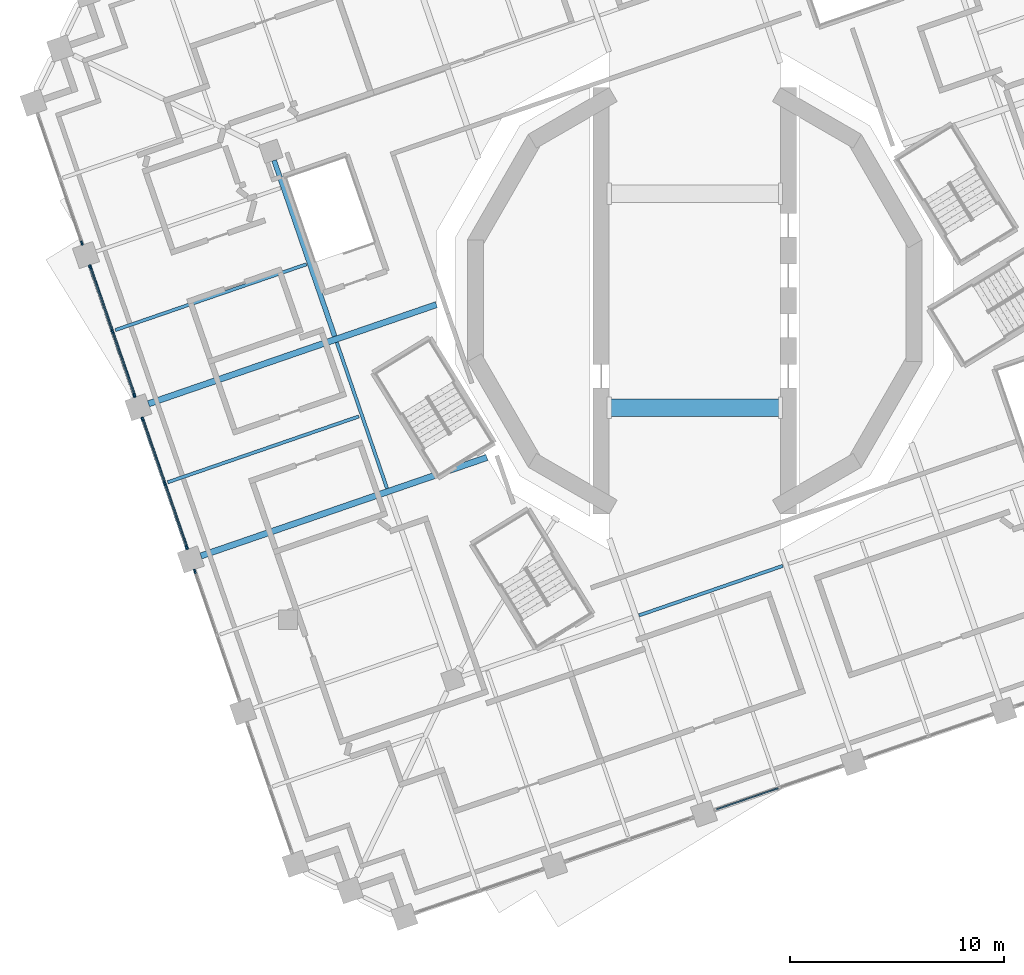
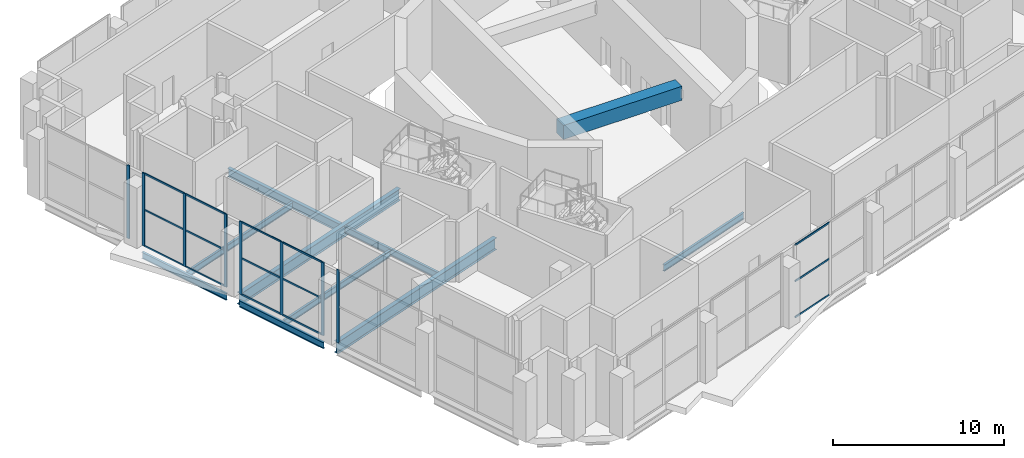
# One storey, part 3 of 20: 23 members, 10 beams, 5 elements without a shape of their own.
"""IFC4 building model written with IfcOpenShell, lengths in metres."""

from ifc_helpers import new_model, si_unit, direction, frame, origin, origin_2d, place, context, subcontext, project, spatial, rectangle, i_section, extrude, material, material_profile, profile_set, type_object, element, aggregate, save


model = new_model("IFC4")

# Units and contexts
model_context = context("Model", 3, precision=1e-05, world=origin(), true_north=direction((0.0, 1.0)))
body_context = subcontext(model_context, "Body", "Model", "MODEL_VIEW")
ifc_project = project(units=[si_unit("LENGTHUNIT", "METRE"), si_unit("AREAUNIT", "SQUARE_METRE"), si_unit("VOLUMEUNIT", "CUBIC_METRE"), si_unit("PLANEANGLEUNIT", "RADIAN"), si_unit("MASSUNIT", "GRAM", prefix="KILO")], contexts=[model_context])

# Site, building, storey
site_placement = place(None, origin())
site = spatial("IfcSite", under=ifc_project, at=site_placement, CompositionType="ELEMENT")
building_placement = place(site_placement, origin())
building = spatial("IfcBuilding", under=site, at=building_placement, Name="Cantera Rosa Tower", CompositionType="ELEMENT")
storey_placement = place(building_placement, frame((0.0, 0.0, 142.10009765625)))
storey = spatial("IfcBuildingStorey", under=building, at=storey_placement, Name="L30", CompositionType="ELEMENT", Elevation=142.10009765625)

# Curtain wall, member
ifc_material_1 = material(Name="Anodised aluminium louvre", Category="aluminium")
curtain_wall_type = type_object("IfcCurtainWallType", Name="CW3 REFUGE LOUVRE WALL", PredefinedType="NOTDEFINED", material=ifc_material_1)
curtain_wall_1_placement = place(storey_placement, origin())
curtain_wall_1 = element("IfcCurtainWall", 1, at=curtain_wall_1_placement, inside=storey, type_object=curtain_wall_type, Name="CW3 CW3", PredefinedType="NOTDEFINED")
ifc_material_2 = material(Name="Anodised bronze aluminium", Category="aluminium")
ifc_material_profile_1 = material_profile(ifc_material_2, rectangle(XDim=0.080078125, YDim=0.199951171875, at=origin_2d()), Name="CW-MULLION 80x200 REFUGE")
ifc_profile_set_1 = profile_set([ifc_material_profile_1], Name="Anodised bronze aluminium")
member_type_1 = type_object("IfcMemberType", Name="CW-MULLION 80x200 REFUGE", PredefinedType="MULLION", material=ifc_profile_set_1)
member_1_placement = place(storey_placement, frame((-28.636962890625, 2.693359375, 0.0), z_axis=(0.0, 0.0, 1.0), x_axis=(0.945518575605, 0.325568154441, 0.0)))
member_1 = element("IfcMember", 2, at=member_1_placement, type_object=member_type_1, Name="CW3 mullion 3", PredefinedType="MULLION", context=body_context, shape_type="SweptSolid", body=[
    extrude(rectangle(XDim=0.080078125, YDim=0.199951171875, at=origin_2d()), origin(), (0.0, 0.0, 1.0), 5.199951171875),
])
aggregate(curtain_wall_1, [member_1])

# Curtain wall, members
curtain_wall_2_placement = place(storey_placement, origin())
curtain_wall_2 = element("IfcCurtainWall", 3, at=curtain_wall_2_placement, inside=storey, type_object=curtain_wall_type, Name="CW3 CW3", PredefinedType="NOTDEFINED")
member_2_placement = place(storey_placement, frame((-28.2529296875, 1.57763671875, 0.0), z_axis=(0.0, 0.0, 1.0), x_axis=(0.945518575594, 0.325568154474, 0.0)))
member_2 = element("IfcMember", 4, at=member_2_placement, type_object=member_type_1, Name="CW3 mullion 1", PredefinedType="MULLION", context=body_context, shape_type="SweptSolid", body=[
    extrude(rectangle(XDim=0.080078125, YDim=0.199951171875, at=origin_2d()), origin(), (0.0, 0.0, 1.0), 5.199951171875),
])
member_3_placement = place(storey_placement, frame((-27.220947265625, -1.419677734375, 0.0), z_axis=(0.0, 0.0, 1.0), x_axis=(0.945518575594, 0.325568154474, 0.0)))
member_3 = element("IfcMember", 5, at=member_3_placement, type_object=member_type_1, Name="CW3 mullion 2", PredefinedType="MULLION", context=body_context, shape_type="SweptSolid", body=[
    extrude(rectangle(XDim=0.080078125, YDim=0.199951171875, at=origin_2d()), origin(), (0.0, 0.0, 1.0), 5.199951171875),
])
member_4_placement = place(storey_placement, frame((-26.188720703125, -4.4169921875, 0.0), z_axis=(0.0, 0.0, 1.0), x_axis=(0.945518575594, 0.325568154474, 0.0)))
member_4 = element("IfcMember", 6, at=member_4_placement, type_object=member_type_1, Name="CW3 mullion 3", PredefinedType="MULLION", context=body_context, shape_type="SweptSolid", body=[
    extrude(rectangle(XDim=0.080078125, YDim=0.199951171875, at=origin_2d()), origin(), (0.0, 0.0, 1.0), 5.199951171875),
])

curtain_wall_3_placement = place(storey_placement, origin())
curtain_wall_3 = element("IfcCurtainWall", 7, at=curtain_wall_3_placement, inside=storey, type_object=curtain_wall_type, Name="CW3 CW3", PredefinedType="NOTDEFINED")
member_5_placement = place(storey_placement, frame((-25.8046875, -5.532470703125, 0.0), z_axis=(0.0, 0.0, 1.0), x_axis=(0.945518575605, 0.325568154441, 0.0)))
member_5 = element("IfcMember", 8, at=member_5_placement, type_object=member_type_1, Name="CW3 mullion 1", PredefinedType="MULLION", context=body_context, shape_type="SweptSolid", body=[
    extrude(rectangle(XDim=0.080078125, YDim=0.199951171875, at=origin_2d()), origin(), (0.0, 0.0, 1.0), 5.199951171875),
])
member_6_placement = place(storey_placement, frame((-24.772705078125, -8.52978515625, 0.0), z_axis=(0.0, 0.0, 1.0), x_axis=(0.945518575605, 0.325568154441, 0.0)))
member_6 = element("IfcMember", 9, at=member_6_placement, type_object=member_type_1, Name="CW3 mullion 2", PredefinedType="MULLION", context=body_context, shape_type="SweptSolid", body=[
    extrude(rectangle(XDim=0.080078125, YDim=0.199951171875, at=origin_2d()), origin(), (0.0, 0.0, 1.0), 5.199951171875),
])
member_7_placement = place(storey_placement, frame((-23.740478515625, -11.527099609375, 0.0), z_axis=(0.0, 0.0, 1.0), x_axis=(0.945518575605, 0.325568154441, 0.0)))
member_7 = element("IfcMember", 10, at=member_7_placement, type_object=member_type_1, Name="CW3 mullion 3", PredefinedType="MULLION", context=body_context, shape_type="SweptSolid", body=[
    extrude(rectangle(XDim=0.080078125, YDim=0.199951171875, at=origin_2d()), origin(), (0.0, 0.0, 1.0), 5.199951171875),
])

# Curtain wall, member
curtain_wall_4_placement = place(storey_placement, origin())
curtain_wall_4 = element("IfcCurtainWall", 11, at=curtain_wall_4_placement, inside=storey, type_object=curtain_wall_type, Name="CW3 CW3", PredefinedType="NOTDEFINED")
member_8_placement = place(storey_placement, frame((-23.3564453125, -12.642822265625, 0.0), z_axis=(0.0, 0.0, 1.0), x_axis=(0.945518575594, 0.325568154474, 0.0)))
member_8 = element("IfcMember", 12, at=member_8_placement, type_object=member_type_1, Name="CW3 mullion 1", PredefinedType="MULLION", context=body_context, shape_type="SweptSolid", body=[
    extrude(rectangle(XDim=0.080078125, YDim=0.199951171875, at=origin_2d()), origin(), (0.0, 0.0, 1.0), 5.199951171875),
])
aggregate(curtain_wall_4, [member_8])

# Member
ifc_material_3 = material(Name="Anodised bronze aluminium", Category="aluminium")
ifc_material_profile_2 = material_profile(ifc_material_3, rectangle(XDim=0.06005859375, YDim=0.1201171875, at=origin_2d()), Name="CW-TRANSOM 60x120 REFUGE")
ifc_profile_set_2 = profile_set([ifc_material_profile_2], Name="Anodised bronze aluminium")
member_type_2 = type_object("IfcMemberType", Name="CW-TRANSOM 60x120 REFUGE", PredefinedType="USERDEFINED", material=ifc_profile_set_2)
member_9_placement = place(storey_placement, frame((-28.239990234375, 1.539794921875, 0.02978515625), z_axis=(0.325598629893, -0.945508081516, 0.0), x_axis=(0.945508081516, 0.325598629893, 0.0)))
member_9 = element("IfcMember", 13, at=member_9_placement, type_object=member_type_2, Name="CW3 transom 1.1", ObjectType="TRANSOM", PredefinedType="USERDEFINED", context=body_context, shape_type="SweptSolid", body=[
    extrude(rectangle(XDim=0.06005859375, YDim=0.1201171875, at=origin_2d()), origin(), (0.0, 0.0, 1.0), 3.090087890625),
])

member_10_placement = place(storey_placement, frame((-28.239990234375, 1.539794921875, 2.599853515625), z_axis=(0.325598629893, -0.945508081516, 0.0), x_axis=(0.945508081516, 0.325598629893, 0.0)))
member_10 = element("IfcMember", 14, at=member_10_placement, type_object=member_type_2, Name="CW3 transom 1.2", ObjectType="TRANSOM", PredefinedType="USERDEFINED", context=body_context, shape_type="SweptSolid", body=[
    extrude(rectangle(XDim=0.06005859375, YDim=0.1201171875, at=origin_2d()), origin(), (0.0, 0.0, 1.0), 3.090087890625),
])

member_11_placement = place(storey_placement, frame((-28.239990234375, 1.539794921875, 5.169921875), z_axis=(0.325598629893, -0.945508081516, 0.0), x_axis=(0.945508081516, 0.325598629893, 0.0)))
member_11 = element("IfcMember", 15, at=member_11_placement, type_object=member_type_2, Name="CW3 transom 1.3", ObjectType="TRANSOM", PredefinedType="USERDEFINED", context=body_context, shape_type="SweptSolid", body=[
    extrude(rectangle(XDim=0.06005859375, YDim=0.1201171875, at=origin_2d()), origin(), (0.0, 0.0, 1.0), 3.090087890625),
])

member_12_placement = place(storey_placement, frame((-27.207763671875, -1.45751953125, 0.02978515625), z_axis=(0.325527993713, -0.945532403098, 0.0), x_axis=(0.945532403098, 0.325527993713, 0.0)))
member_12 = element("IfcMember", 16, at=member_12_placement, type_object=member_type_2, Name="CW3 transom 2.1", ObjectType="TRANSOM", PredefinedType="USERDEFINED", context=body_context, shape_type="SweptSolid", body=[
    extrude(rectangle(XDim=0.06005859375, YDim=0.1201171875, at=origin_2d()), origin(), (0.0, 0.0, 1.0), 3.08984375),
])

member_13_placement = place(storey_placement, frame((-27.207763671875, -1.45751953125, 2.599853515625), z_axis=(0.325527993713, -0.945532403098, 0.0), x_axis=(0.945532403098, 0.325527993713, 0.0)))
member_13 = element("IfcMember", 17, at=member_13_placement, type_object=member_type_2, Name="CW3 transom 2.2", ObjectType="TRANSOM", PredefinedType="USERDEFINED", context=body_context, shape_type="SweptSolid", body=[
    extrude(rectangle(XDim=0.06005859375, YDim=0.1201171875, at=origin_2d()), origin(), (0.0, 0.0, 1.0), 3.08984375),
])

member_14_placement = place(storey_placement, frame((-27.207763671875, -1.45751953125, 5.169921875), z_axis=(0.325527993713, -0.945532403098, 0.0), x_axis=(0.945532403098, 0.325527993713, 0.0)))
member_14 = element("IfcMember", 18, at=member_14_placement, type_object=member_type_2, Name="CW3 transom 2.3", ObjectType="TRANSOM", PredefinedType="USERDEFINED", context=body_context, shape_type="SweptSolid", body=[
    extrude(rectangle(XDim=0.06005859375, YDim=0.1201171875, at=origin_2d()), origin(), (0.0, 0.0, 1.0), 3.08984375),
])

aggregate(curtain_wall_2, [member_2, member_3, member_4, member_9, member_10, member_11, member_12, member_13, member_14])

member_15_placement = place(storey_placement, frame((-25.79150390625, -5.5703125, 0.02978515625), z_axis=(0.325527993713, -0.945532403098, 0.0), x_axis=(0.945532403098, 0.325527993713, 0.0)))
member_15 = element("IfcMember", 19, at=member_15_placement, type_object=member_type_2, Name="CW3 transom 1.1", ObjectType="TRANSOM", PredefinedType="USERDEFINED", context=body_context, shape_type="SweptSolid", body=[
    extrude(rectangle(XDim=0.06005859375, YDim=0.1201171875, at=origin_2d()), origin(), (0.0, 0.0, 1.0), 3.08984375),
])

member_16_placement = place(storey_placement, frame((-25.79150390625, -5.5703125, 2.599853515625), z_axis=(0.325527993713, -0.945532403098, 0.0), x_axis=(0.945532403098, 0.325527993713, 0.0)))
member_16 = element("IfcMember", 20, at=member_16_placement, type_object=member_type_2, Name="CW3 transom 1.2", ObjectType="TRANSOM", PredefinedType="USERDEFINED", context=body_context, shape_type="SweptSolid", body=[
    extrude(rectangle(XDim=0.06005859375, YDim=0.1201171875, at=origin_2d()), origin(), (0.0, 0.0, 1.0), 3.08984375),
])

member_17_placement = place(storey_placement, frame((-25.79150390625, -5.5703125, 5.169921875), z_axis=(0.325527993713, -0.945532403098, 0.0), x_axis=(0.945532403098, 0.325527993713, 0.0)))
member_17 = element("IfcMember", 21, at=member_17_placement, type_object=member_type_2, Name="CW3 transom 1.3", ObjectType="TRANSOM", PredefinedType="USERDEFINED", context=body_context, shape_type="SweptSolid", body=[
    extrude(rectangle(XDim=0.06005859375, YDim=0.1201171875, at=origin_2d()), origin(), (0.0, 0.0, 1.0), 3.08984375),
])

member_18_placement = place(storey_placement, frame((-24.759521484375, -8.567626953125, 0.02978515625), z_axis=(0.325527993713, -0.945532403098, 0.0), x_axis=(0.945532403098, 0.325527993713, 0.0)))
member_18 = element("IfcMember", 22, at=member_18_placement, type_object=member_type_2, Name="CW3 transom 2.1", ObjectType="TRANSOM", PredefinedType="USERDEFINED", context=body_context, shape_type="SweptSolid", body=[
    extrude(rectangle(XDim=0.06005859375, YDim=0.1201171875, at=origin_2d()), origin(), (0.0, 0.0, 1.0), 3.08984375),
])

member_19_placement = place(storey_placement, frame((-24.759521484375, -8.567626953125, 2.599853515625), z_axis=(0.325527993713, -0.945532403098, 0.0), x_axis=(0.945532403098, 0.325527993713, 0.0)))
member_19 = element("IfcMember", 23, at=member_19_placement, type_object=member_type_2, Name="CW3 transom 2.2", ObjectType="TRANSOM", PredefinedType="USERDEFINED", context=body_context, shape_type="SweptSolid", body=[
    extrude(rectangle(XDim=0.06005859375, YDim=0.1201171875, at=origin_2d()), origin(), (0.0, 0.0, 1.0), 3.08984375),
])

member_20_placement = place(storey_placement, frame((-24.759521484375, -8.567626953125, 5.169921875), z_axis=(0.325527993713, -0.945532403098, 0.0), x_axis=(0.945532403098, 0.325527993713, 0.0)))
member_20 = element("IfcMember", 24, at=member_20_placement, type_object=member_type_2, Name="CW3 transom 2.3", ObjectType="TRANSOM", PredefinedType="USERDEFINED", context=body_context, shape_type="SweptSolid", body=[
    extrude(rectangle(XDim=0.06005859375, YDim=0.1201171875, at=origin_2d()), origin(), (0.0, 0.0, 1.0), 3.08984375),
])

aggregate(curtain_wall_3, [member_5, member_6, member_7, member_15, member_16, member_17, member_18, member_19, member_20])

# Curtain wall, members
curtain_wall_5_placement = place(storey_placement, origin())
curtain_wall_5 = element("IfcCurtainWall", 25, at=curtain_wall_5_placement, inside=storey, type_object=curtain_wall_type, Name="CW3 CW3", PredefinedType="NOTDEFINED")
member_21_placement = place(storey_placement, frame((1.021728515625, -23.761962890625, 0.02978515625), z_axis=(0.94551075118, 0.325590877334, 0.0), x_axis=(-0.325590877334, 0.94551075118, 0.0)))
member_21 = element("IfcMember", 26, at=member_21_placement, type_object=member_type_2, Name="CW3 transom 1.1", ObjectType="TRANSOM", PredefinedType="USERDEFINED", context=body_context, shape_type="SweptSolid", body=[
    extrude(rectangle(XDim=0.06005859375, YDim=0.1201171875, at=origin_2d()), origin(), (0.0, 0.0, 1.0), 3.030029296875),
])
member_22_placement = place(storey_placement, frame((1.021728515625, -23.761962890625, 2.599853515625), z_axis=(0.94551075118, 0.325590877334, 0.0), x_axis=(-0.325590877334, 0.94551075118, 0.0)))
member_22 = element("IfcMember", 27, at=member_22_placement, type_object=member_type_2, Name="CW3 transom 1.2", ObjectType="TRANSOM", PredefinedType="USERDEFINED", context=body_context, shape_type="SweptSolid", body=[
    extrude(rectangle(XDim=0.06005859375, YDim=0.1201171875, at=origin_2d()), origin(), (0.0, 0.0, 1.0), 3.030029296875),
])
member_23_placement = place(storey_placement, frame((1.021728515625, -23.761962890625, 5.169921875), z_axis=(0.94551075118, 0.325590877334, 0.0), x_axis=(-0.325590877334, 0.94551075118, 0.0)))
member_23 = element("IfcMember", 28, at=member_23_placement, type_object=member_type_2, Name="CW3 transom 1.3", ObjectType="TRANSOM", PredefinedType="USERDEFINED", context=body_context, shape_type="SweptSolid", body=[
    extrude(rectangle(XDim=0.06005859375, YDim=0.1201171875, at=origin_2d()), origin(), (0.0, 0.0, 1.0), 3.030029296875),
])
aggregate(curtain_wall_5, [member_21, member_22, member_23])

# Beams
ifc_material_4 = material(Name="Concrete C60/75", Category="concrete")
ifc_material_profile_3 = material_profile(ifc_material_4, rectangle(XDim=0.800048828125, YDim=1.0, at=origin_2d()), Name="RC COUPLING BEAM RC800X1000 C60/75")
ifc_profile_set_3 = profile_set([ifc_material_profile_3], Name="Concrete C60/75")
beam_type_1 = type_object("IfcBeamType", Name="RC COUPLING BEAM RC800X1000 C60/75", PredefinedType="BEAM", material=ifc_profile_set_3)
beam_1_placement = place(storey_placement, frame((-4.0, -5.0, 3.7998046875), z_axis=(1.0, 0.0, 0.0), x_axis=(0.0, 1.0, 0.0)))
element("IfcBeam", 29, at=beam_1_placement, inside=storey, type_object=beam_type_1, Name="CPL-L30-1", PredefinedType="BEAM", context=body_context, shape_type="SweptSolid", body=[
    extrude(rectangle(XDim=0.800048828125, YDim=1.0, at=origin_2d()), origin(), (0.0, 0.0, 1.0), 8.0),
])
ifc_material_5 = material(Name="Steel ASTM A992 (Fy 345 MPa)", Category="steel")
ifc_material_profile_4 = material_profile(ifc_material_5, i_section(OverallWidth=0.154052734375, OverallDepth=0.4599609375, WebThickness=0.009033203125, FlangeThickness=0.015380859375, FilletRadius=0.01025390625, at=origin_2d()), Name="W460X68")
ifc_profile_set_4 = profile_set([ifc_material_profile_4], Name="Steel ASTM A992 (Fy 345 MPa)")
beam_type_2 = type_object("IfcBeamType", Name="STEEL BEAM W460X68", PredefinedType="BEAM", material=ifc_profile_set_4)
beam_2_placement = place(storey_placement, frame((-2.6064453125, -14.699462890625, -0.68017578125), z_axis=(0.9455219702, 0.325558295653, 0.0), x_axis=(-0.325558295653, 0.9455219702, 0.0)))
element("IfcBeam", 30, at=beam_2_placement, inside=storey, type_object=beam_type_2, Name="RB-Z2-06 L30", PredefinedType="BEAM", context=body_context, shape_type="SweptSolid", body=[
    extrude(i_section(OverallWidth=0.154052734375, OverallDepth=0.4599609375, WebThickness=0.009033203125, FlangeThickness=0.015380859375, FilletRadius=0.01025390625, at=origin_2d()), origin(), (0.0, 0.0, 1.0), 7.10009765625),
])
beam_3_placement = place(storey_placement, frame((-14.37841796875, -8.768798828125, -0.68017578125), z_axis=(-0.325575881702, 0.94551591486, 0.0), x_axis=(-0.94551591486, -0.325575881702, 0.0)))
element("IfcBeam", 31, at=beam_3_placement, inside=storey, type_object=beam_type_2, Name="RB-Z2-13 L30", PredefinedType="BEAM", context=body_context, shape_type="SweptSolid", body=[
    extrude(i_section(OverallWidth=0.154052734375, OverallDepth=0.4599609375, WebThickness=0.009033203125, FlangeThickness=0.015380859375, FilletRadius=0.01025390625, at=origin_2d()), origin(), (0.0, 0.0, 1.0), 7.2197265625),
])
ifc_material_6 = material(Name="Steel ASTM A992 (Fy 345 MPa)", Category="steel")
ifc_material_profile_5 = material_profile(ifc_material_6, i_section(OverallWidth=0.22802734375, OverallDepth=0.60205078125, WebThickness=0.010498046875, FlangeThickness=0.014892578125, FilletRadius=0.0126953125, at=origin_2d()), Name="W610X101")
ifc_profile_set_5 = profile_set([ifc_material_profile_5], Name="Steel ASTM A992 (Fy 345 MPa)")
beam_type_3 = type_object("IfcBeamType", Name="STEEL BEAM W610X101", PredefinedType="BEAM", material=ifc_profile_set_5)
beam_4_placement = place(storey_placement, frame((-16.82666015625, -1.65869140625, -0.7509765625), z_axis=(-0.325584584945, 0.945512917969, 0.0), x_axis=(-0.945512917969, -0.325584584945, 0.0)))
element("IfcBeam", 32, at=beam_4_placement, inside=storey, type_object=beam_type_3, Name="RB-Z2-14 L30", PredefinedType="BEAM", context=body_context, shape_type="SweptSolid", body=[
    extrude(i_section(OverallWidth=0.22802734375, OverallDepth=0.60205078125, WebThickness=0.010498046875, FlangeThickness=0.014892578125, FilletRadius=0.0126953125, at=origin_2d()), origin(), (0.0, 0.0, 1.0), 8.68994140625),
])
ifc_material_7 = material(Name="Steel ASTM A992 (Fy 345 MPa)", Category="steel")
ifc_material_profile_6 = material_profile(ifc_material_7, i_section(OverallWidth=0.2919921875, OverallDepth=0.8359375, WebThickness=0.013916015625, FlangeThickness=0.018798828125, FilletRadius=0.017822265625, at=origin_2d()), Name="W840X176")
ifc_profile_set_6 = profile_set([ifc_material_profile_6], Name="Steel ASTM A992 (Fy 345 MPa)")
beam_type_4 = type_object("IfcBeamType", Name="STEEL BEAM W840X176", PredefinedType="BEAM", material=ifc_profile_set_6)
beam_5_placement = place(storey_placement, frame((-25.52392578125, -4.81201171875, -0.8681640625), z_axis=(0.945515154884, 0.325578088765, 0.0), x_axis=(-0.325578088765, 0.945515154884, 0.0)))
element("IfcBeam", 33, at=beam_5_placement, inside=storey, type_object=beam_type_4, Name="G-Z2-16 L30", PredefinedType="BEAM", context=body_context, shape_type="SweptSolid", body=[
    extrude(i_section(OverallWidth=0.2919921875, OverallDepth=0.8359375, WebThickness=0.013916015625, FlangeThickness=0.018798828125, FilletRadius=0.017822265625, at=origin_2d()), origin(), (0.0, 0.0, 1.0), 14.22509765625),
])
beam_6_placement = place(storey_placement, frame((-23.07568359375, -11.92236328125, -0.8681640625), z_axis=(0.945516836256, 0.325573205833, 0.0), x_axis=(-0.325573205833, 0.945516836256, 0.0)))
element("IfcBeam", 34, at=beam_6_placement, inside=storey, type_object=beam_type_4, Name="G-Z2-17 L30", PredefinedType="BEAM", context=body_context, shape_type="SweptSolid", body=[
    extrude(i_section(OverallWidth=0.2919921875, OverallDepth=0.8359375, WebThickness=0.013916015625, FlangeThickness=0.018798828125, FilletRadius=0.017822265625, at=origin_2d()), origin(), (0.0, 0.0, 1.0), 14.130615234375),
])
ifc_material_8 = material(Name="Steel ASTM A992 (Fy 345 MPa)", Category="steel")
ifc_material_profile_7 = material_profile(ifc_material_8, i_section(OverallWidth=0.154052734375, OverallDepth=0.4599609375, WebThickness=0.009033203125, FlangeThickness=0.015380859375, FilletRadius=0.01025390625, at=origin_2d()), Name="W460X68")
ifc_profile_set_7 = profile_set([ifc_material_profile_7], Name="Steel ASTM A992 (Fy 345 MPa)")
beam_type_5 = type_object("IfcBeamType", Name="STEEL JOIST W460X68", PredefinedType="JOIST", material=ifc_profile_set_7)
for number, where, z_axis, x_axis, name in (
    (35, (-27.0791015625, -1.370849609375, -0.68017578125), (0.945518943957, 0.325567084667, 0.0), (-0.325567084667, 0.945518943957, 0.0), "B-Z2-19 L30"),
    (36, (-24.630859375, -8.48095703125, -0.68017578125), (0.945526896389, 0.325543988125, 0.0), (-0.325543988125, 0.945526896389, 0.0), "B-Z2-20 L30"),
):
    element("IfcBeam", number, at=place(storey_placement, frame(where, z_axis=z_axis, x_axis=x_axis)), inside=storey, type_object=beam_type_5, Name=name, PredefinedType="JOIST", context=body_context, shape_type="SweptSolid", body=[
        extrude(i_section(OverallWidth=0.154052734375, OverallDepth=0.4599609375, WebThickness=0.009033203125, FlangeThickness=0.015380859375, FilletRadius=0.01025390625, at=origin_2d()), origin(), (0.0, 0.0, 1.0), 9.4501953125),
    ])
ifc_material_9 = material(Name="Steel ASTM A992 (Fy 345 MPa)", Category="steel")
ifc_material_profile_8 = material_profile(ifc_material_9, i_section(OverallWidth=0.154052734375, OverallDepth=0.4599609375, WebThickness=0.009033203125, FlangeThickness=0.015380859375, FilletRadius=0.01025390625, at=origin_2d()), Name="W460X68")
ifc_profile_set_8 = profile_set([ifc_material_profile_8], Name="Steel ASTM A992 (Fy 345 MPa)")
beam_type_6 = type_object("IfcBeamType", Name="STEEL SPANDREL BEAM W460X68", PredefinedType="SPANDREL", material=ifc_profile_set_8)
for number, where, z_axis, x_axis, name in (
    (37, (-28.2822265625, 1.662841796875, -0.68017578125), (0.325580990241, -0.945514155787, 0.0), (0.945514155787, 0.325580990241, 0.0), "EB-Z2-17 L30"),
    (38, (-25.833984375, -5.447509765625, -0.68017578125), (0.325580990241, -0.945514155787, 0.0), (0.945514155787, 0.325580990241, 0.0), "EB-Z2-18 L30"),
):
    element("IfcBeam", number, at=place(storey_placement, frame(where, z_axis=z_axis, x_axis=x_axis)), inside=storey, type_object=beam_type_6, Name=name, PredefinedType="SPANDREL", context=body_context, shape_type="SweptSolid", body=[
        extrude(i_section(OverallWidth=0.154052734375, OverallDepth=0.4599609375, WebThickness=0.009033203125, FlangeThickness=0.015380859375, FilletRadius=0.01025390625, at=origin_2d()), origin(), (0.0, 0.0, 1.0), 6.52001953125),
    ])

save(model, "model.ifc")
